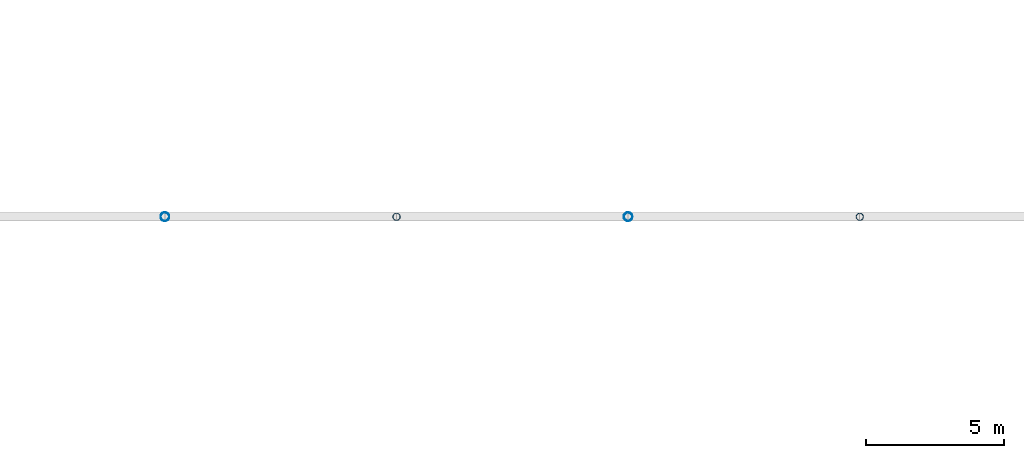
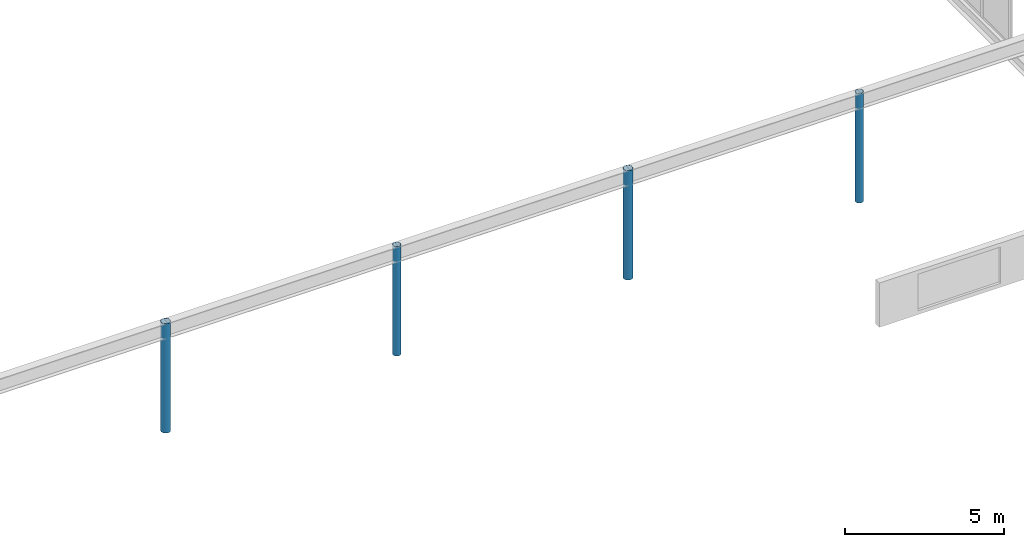
# One storey, part 28 of 218: 4 columns.
"""IFC4 building model written with IfcOpenShell, lengths in metres."""

from ifc_helpers import new_model, si_unit, direction, frame, origin, origin_2d, place, context, subcontext, project, spatial, hollow_circle, extrude, material, material_profile, profile_set, type_object, element, save


model = new_model("IFC4")

# Units and contexts
model_context = context("Model", 3, precision=1e-05, world=origin(), true_north=direction((0.0, 1.0)))
body_context = subcontext(model_context, "Body", "Model", "MODEL_VIEW")
ifc_project = project(units=[si_unit("LENGTHUNIT", "METRE"), si_unit("AREAUNIT", "SQUARE_METRE"), si_unit("VOLUMEUNIT", "CUBIC_METRE"), si_unit("PLANEANGLEUNIT", "RADIAN"), si_unit("MASSUNIT", "GRAM", prefix="KILO")], contexts=[model_context])

# Site, building, storey
site_placement = place(None, origin())
site = spatial("IfcSite", under=ifc_project, at=site_placement, CompositionType="ELEMENT")
building_placement = place(site_placement, origin())
building = spatial("IfcBuilding", under=site, at=building_placement, Name="Kazenagashi Tramway Depot", CompositionType="ELEMENT")
storey_placement = place(building_placement, frame((0.0, 0.0, 6.0)))
storey = spatial("IfcBuildingStorey", under=building, at=storey_placement, Name="L02", CompositionType="ELEMENT", Elevation=6.0)

# Columns
ifc_material = material(Name="Steel STK490", Category="steel")
ifc_material_profile_1 = material_profile(ifc_material, hollow_circle(Radius=0.1337, WallThickness=0.0093, at=origin_2d()), Name="CHS-267.4x9.3")
ifc_profile_set_1 = profile_set([ifc_material_profile_1], Name="Steel STK490")
column_type_1 = type_object("IfcColumnType", Name="C-14", PredefinedType="COLUMN", material=ifc_profile_set_1)
for number, where, z_axis, x_axis, name in (
    (1, (170.8, 100.0, 0.0), (0.0, 0.0, 1.0), (1.0, 0.0, 0.0), "Column C-14 COL-0094"),
    (2, (187.6, 100.0, 0.0), (0.0, 0.0, 1.0), (1.0, 0.0, 0.0), "Column C-14 COL-0106"),
):
    element("IfcColumn", number, at=place(storey_placement, frame(where, z_axis=z_axis, x_axis=x_axis)), inside=storey, type_object=column_type_1, Name=name, PredefinedType="COLUMN", context=body_context, shape_type="SweptSolid", body=[
        extrude(hollow_circle(Radius=0.1337, WallThickness=0.0093, at=origin_2d()), origin(), (0.0, 0.0, 1.0), 4.2),
    ])
ifc_material_profile_2 = material_profile(ifc_material, hollow_circle(Radius=0.15925, WallThickness=0.0103, at=origin_2d()), Name="CHS-318.5x10.3")
ifc_profile_set_2 = profile_set([ifc_material_profile_2], Name="Steel STK490")
column_type_2 = type_object("IfcColumnType", Name="C-18", PredefinedType="COLUMN", material=ifc_profile_set_2)
for number, where, z_axis, x_axis, name in (
    (3, (162.4, 100.0, 0.0), (0.0, 0.0, 1.0), (1.0, 0.0, 0.0), "Column C-18 COL-0088"),
    (4, (179.2, 100.0, 0.0), (0.0, 0.0, 1.0), (1.0, 0.0, 0.0), "Column C-18 COL-0100"),
):
    element("IfcColumn", number, at=place(storey_placement, frame(where, z_axis=z_axis, x_axis=x_axis)), inside=storey, type_object=column_type_2, Name=name, PredefinedType="COLUMN", context=body_context, shape_type="SweptSolid", body=[
        extrude(hollow_circle(Radius=0.15925, WallThickness=0.0103, at=origin_2d()), origin(), (0.0, 0.0, 1.0), 4.2),
    ])

save(model, "model.ifc")
